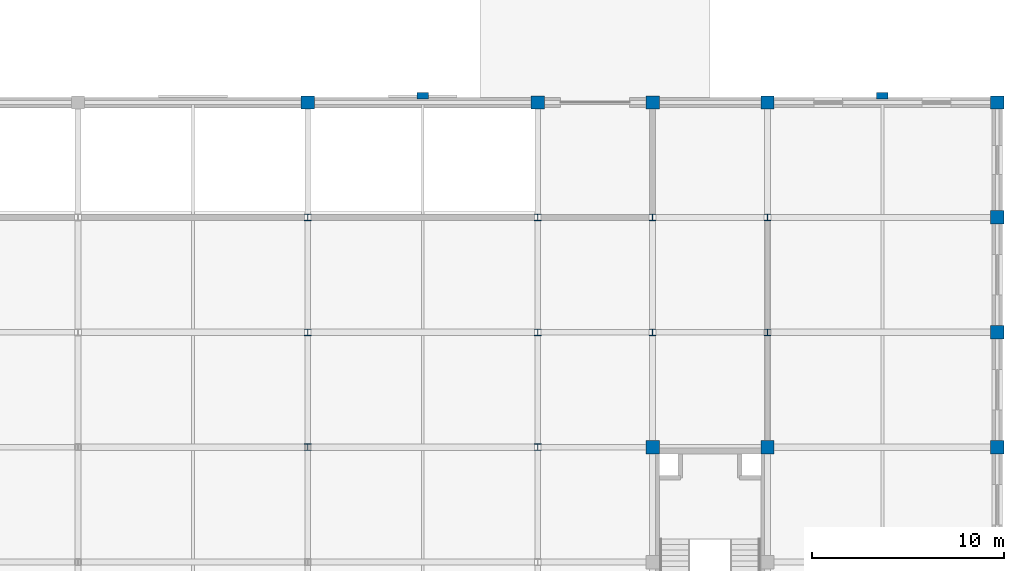
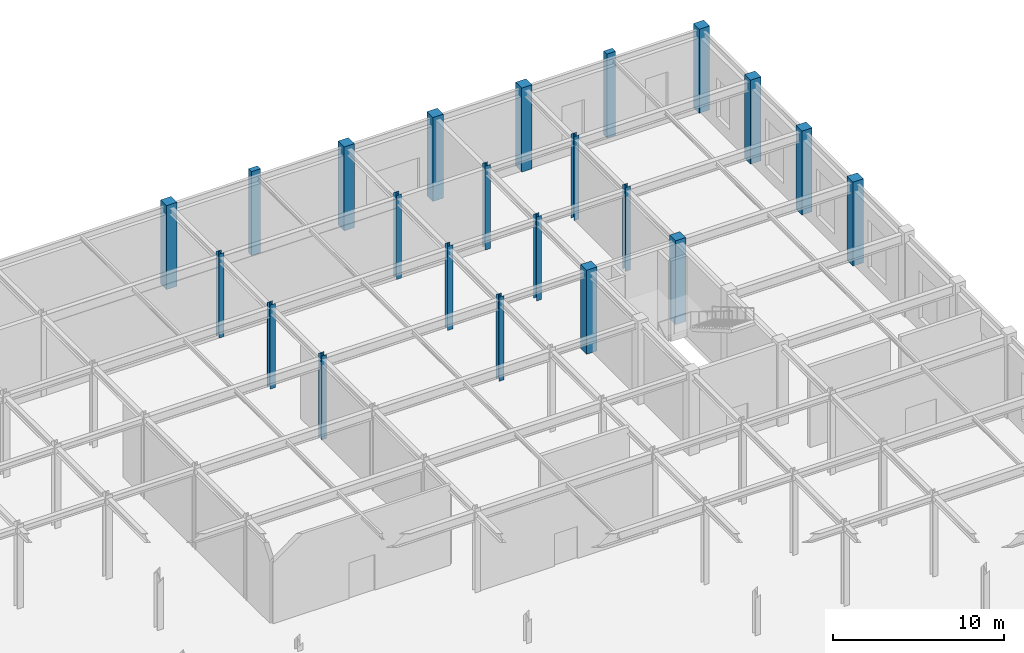
# One storey, part 27 of 51: 22 columns.
"""IFC4 building model written with IfcOpenShell, lengths in metres."""

from ifc_helpers import new_model, si_unit, direction, frame, origin, origin_2d, place, context, subcontext, project, spatial, rectangle, i_section, extrude, material, material_profile, profile_set, type_object, element, save


model = new_model("IFC4")

# Units and contexts
model_context = context("Model", 3, precision=1e-05, world=origin(), true_north=direction((0.0, 1.0)))
body_context = subcontext(model_context, "Body", "Model", "MODEL_VIEW")
ifc_project = project(units=[si_unit("LENGTHUNIT", "METRE"), si_unit("AREAUNIT", "SQUARE_METRE"), si_unit("VOLUMEUNIT", "CUBIC_METRE"), si_unit("PLANEANGLEUNIT", "RADIAN"), si_unit("MASSUNIT", "GRAM", prefix="KILO")], contexts=[model_context])

# Site, building, storey
site_placement = place(None, origin())
site = spatial("IfcSite", under=ifc_project, at=site_placement, CompositionType="ELEMENT")
building_placement = place(site_placement, origin())
building = spatial("IfcBuilding", under=site, at=building_placement, Name="Zlatovratsky Civic Hall", CompositionType="ELEMENT")
storey_placement = place(building_placement, origin())
storey = spatial("IfcBuildingStorey", under=building, at=storey_placement, Name="L01", CompositionType="ELEMENT", Elevation=0.0)

# Columns
ifc_material_1 = material(Name="Concrete C35/45 (B40)", Category="concrete")
ifc_material_profile_1 = material_profile(ifc_material_1, rectangle(XDim=0.699951171875, YDim=0.699951171875, at=origin_2d()), Name="RC 700x700")
ifc_profile_set_1 = profile_set([ifc_material_profile_1], Name="Concrete C35/45 (B40)")
column_type_1 = type_object("IfcColumnType", Name="Col_CorePier_RC700", PredefinedType="COLUMN", material=ifc_profile_set_1)
for number, where, z_axis, x_axis, name in (
    (1, (150.0, 96.0, 0.0), (0.0, 0.0, 1.0), (1.0, 0.0, 0.0), "CL-0750"),
    (2, (156.0, 96.0, 0.0), (0.0, 0.0, 1.0), (1.0, 0.0, 0.0), "CL-0751"),
    (3, (168.0, 96.0, 0.0), (0.0, 0.0, 1.0), (1.0, 0.0, 0.0), "CL-0752"),
    (4, (168.0, 102.0, 0.0), (0.0, 0.0, 1.0), (1.0, 0.0, 0.0), "CL-0775"),
    (5, (168.0, 108.0, 0.0), (0.0, 0.0, 1.0), (1.0, 0.0, 0.0), "CL-0798"),
    (6, (132.0, 114.0, 0.0), (0.0, 0.0, 1.0), (1.0, 0.0, 0.0), "CL-0817"),
    (7, (144.0, 114.0, 0.0), (0.0, 0.0, 1.0), (1.0, 0.0, 0.0), "CL-0818"),
    (8, (150.0, 114.0, 0.0), (0.0, 0.0, 1.0), (1.0, 0.0, 0.0), "CL-0819"),
    (9, (156.0, 114.0, 0.0), (0.0, 0.0, 1.0), (1.0, 0.0, 0.0), "CL-0820"),
    (10, (168.0, 114.0, 0.0), (0.0, 0.0, 1.0), (1.0, 0.0, 0.0), "CL-0821"),
):
    element("IfcColumn", number, at=place(storey_placement, frame(where, z_axis=z_axis, x_axis=x_axis)), inside=storey, type_object=column_type_1, Name=name, PredefinedType="COLUMN", context=body_context, shape_type="SweptSolid", body=[
        extrude(rectangle(XDim=0.699951171875, YDim=0.699951171875, at=origin_2d()), origin(), (0.0, 0.0, 1.0), 6.0),
    ])
ifc_material_2 = material(Name="Steel S355", Category="steel")
ifc_material_profile_2 = material_profile(ifc_material_2, i_section(OverallWidth=0.35009765625, OverallDepth=0.343017578125, WebThickness=0.010009765625, FlangeThickness=0.014892578125, FilletRadius=0.02001953125, at=origin_2d()), Name="35K1")
ifc_profile_set_2 = profile_set([ifc_material_profile_2], Name="Steel S355")
column_type_2 = type_object("IfcColumnType", Name="Col_Steel_35K1", PredefinedType="COLUMN", material=ifc_profile_set_2)
for number, where, z_axis, x_axis, name in (
    (11, (132.0, 96.0, 0.0), (0.0, 0.0, 1.0), (1.0, 0.0, 0.0), "CL-0748"),
    (12, (144.0, 96.0, 0.0), (0.0, 0.0, 1.0), (1.0, 0.0, 0.0), "CL-0749"),
    (13, (132.0, 102.0, 0.0), (0.0, 0.0, 1.0), (1.0, 0.0, 0.0), "CL-0771"),
    (14, (144.0, 102.0, 0.0), (0.0, 0.0, 1.0), (1.0, 0.0, 0.0), "CL-0772"),
    (15, (150.0, 102.0, 0.0), (0.0, 0.0, 1.0), (1.0, 0.0, 0.0), "CL-0773"),
    (16, (156.0, 102.0, 0.0), (0.0, 0.0, 1.0), (1.0, 0.0, 0.0), "CL-0774"),
    (17, (132.0, 108.0, 0.0), (0.0, 0.0, 1.0), (1.0, 0.0, 0.0), "CL-0794"),
    (18, (144.0, 108.0, 0.0), (0.0, 0.0, 1.0), (1.0, 0.0, 0.0), "CL-0795"),
    (19, (150.0, 108.0, 0.0), (0.0, 0.0, 1.0), (1.0, 0.0, 0.0), "CL-0796"),
    (20, (156.0, 108.0, 0.0), (0.0, 0.0, 1.0), (1.0, 0.0, 0.0), "CL-0797"),
):
    element("IfcColumn", number, at=place(storey_placement, frame(where, z_axis=z_axis, x_axis=x_axis)), inside=storey, type_object=column_type_2, Name=name, PredefinedType="COLUMN", context=body_context, shape_type="SweptSolid", body=[
        extrude(i_section(OverallWidth=0.35009765625, OverallDepth=0.343017578125, WebThickness=0.010009765625, FlangeThickness=0.014892578125, FilletRadius=0.02001953125, at=origin_2d()), origin(), (0.0, 0.0, 1.0), 6.0),
    ])
ifc_material_profile_3 = material_profile(ifc_material_1, rectangle(XDim=0.60009765625, YDim=0.360107421875, at=origin_2d()), Name="RC 600x360")
ifc_profile_set_3 = profile_set([ifc_material_profile_3], Name="Concrete C35/45 (B40)")
column_type_3 = type_object("IfcColumnType", Name="Pilaster_Classical_RC600x360", PredefinedType="PILASTER", material=ifc_profile_set_3)
for number, where, z_axis, x_axis, name in (
    (21, (138.0, 114.35009765625, 0.0), (0.0, 0.0, 1.0), (1.0, 0.0, 0.0), "CL-2729"),
    (22, (162.0, 114.35009765625, 0.0), (0.0, 0.0, 1.0), (1.0, 0.0, 0.0), "CL-2730"),
):
    element("IfcColumn", number, at=place(storey_placement, frame(where, z_axis=z_axis, x_axis=x_axis)), inside=storey, type_object=column_type_3, Name=name, PredefinedType="PILASTER", context=body_context, shape_type="SweptSolid", body=[
        extrude(rectangle(XDim=0.60009765625, YDim=0.360107421875, at=origin_2d()), origin(), (0.0, 0.0, 1.0), 6.0),
    ])

save(model, "model.ifc")
